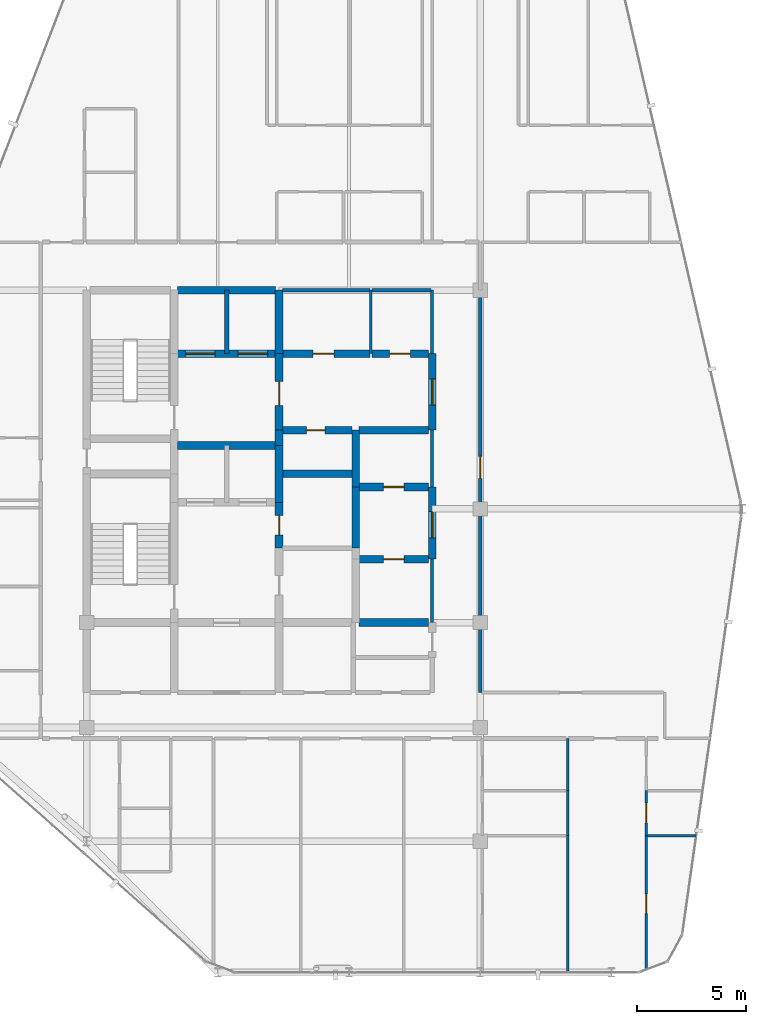
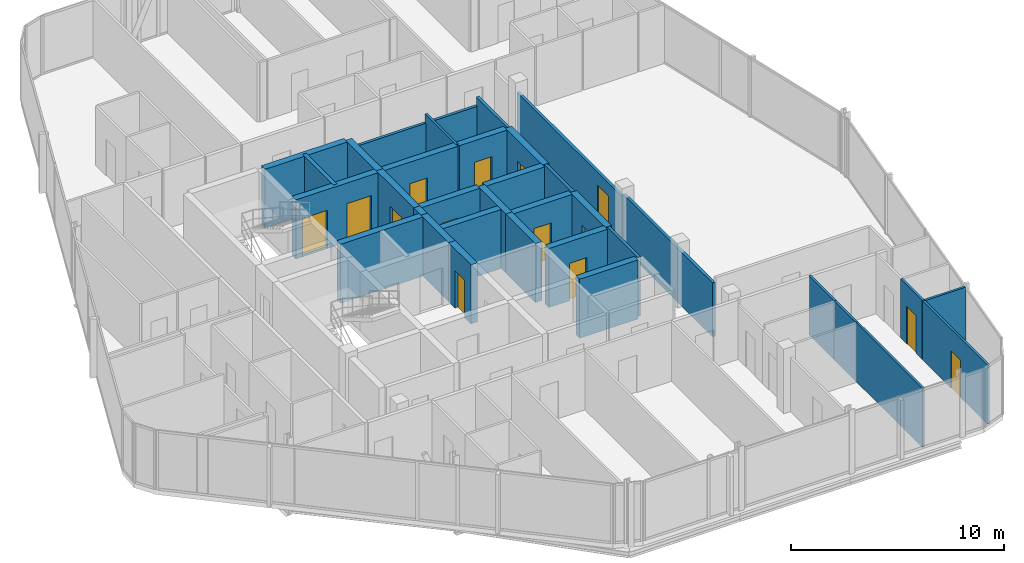
# One storey, part 24 of 27: 35 walls, 14 doors, 14 openings.
"""IFC4 building model written with IfcOpenShell, lengths in metres."""

from ifc_helpers import new_model, si_unit, direction, frame, frame_2d, origin, place, context, subcontext, project, spatial, rectangle, extrude, material, layer, layer_set, type_object, element, fill, save


model = new_model("IFC4")

# Units and contexts
model_context = context("Model", 3, precision=1e-05, world=origin(), true_north=direction((0.0, 1.0)))
body_context = subcontext(model_context, "Body", "Model", "MODEL_VIEW")
ifc_project = project(units=[si_unit("LENGTHUNIT", "METRE"), si_unit("AREAUNIT", "SQUARE_METRE"), si_unit("VOLUMEUNIT", "CUBIC_METRE"), si_unit("PLANEANGLEUNIT", "RADIAN"), si_unit("MASSUNIT", "GRAM", prefix="KILO")], contexts=[model_context])

# Site, building, storey
site_placement = place(None, origin())
site = spatial("IfcSite", under=ifc_project, at=site_placement, CompositionType="ELEMENT")
building_placement = place(site_placement, origin())
building = spatial("IfcBuilding", under=site, at=building_placement, Name="Keshet Zoharim Tower", CompositionType="ELEMENT")
storey_placement = place(building_placement, frame((0.0, 0.0, 288.0)))
storey = spatial("IfcBuildingStorey", under=building, at=storey_placement, Name="L72", CompositionType="ELEMENT", Elevation=288.0)

# Walls
ifc_material_1 = material(Name="Gypsum Plasterboard", Category="gypsum")
ifc_layer_1 = layer(ifc_material_1, 0.14990234375)
ifc_layer_set_1 = layer_set([ifc_layer_1], Name="Gypsum Plasterboard")
wall_type_1 = type_object("IfcWallType", Name="WL-CLIN-150", PredefinedType="STANDARD", material=ifc_layer_set_1)
wall_1_placement = place(storey_placement, frame((30.800048828125, 22.699951171875, 0.0), z_axis=(0.0, 0.0, 1.0), x_axis=(0.0, 1.0, 0.0)))
element("IfcWall", 1, at=wall_1_placement, inside=storey, type_object=wall_type_1, Name="L72 Interior Wall 060", PredefinedType="STANDARD", context=body_context, shape_type="SweptSolid", body=[
    extrude(rectangle(XDim=2.900146484375, YDim=0.14990234375, at=frame_2d((1.4501953125, 0.0))), origin(), (0.0, 0.0, 1.0), 3.389892578125),
])
wall_2_placement = place(storey_placement, frame((30.800048828125, 28.89990234375, 0.0), z_axis=(0.0, 0.0, 1.0), x_axis=(0.0, 1.0, 0.0)))
element("IfcWall", 2, at=wall_2_placement, inside=storey, type_object=wall_type_1, Name="L72 Interior Wall 062", PredefinedType="STANDARD", context=body_context, shape_type="SweptSolid", body=[
    extrude(rectangle(XDim=2.60009765625, YDim=0.14990234375, at=frame_2d((1.300048828125, 0.0))), origin(), (0.0, 0.0, 1.0), 3.389892578125),
])
wall_3_placement = place(storey_placement, frame((30.800048828125, 35.0, 0.0), z_axis=(0.0, 0.0, 1.0), x_axis=(0.0, 1.0, 0.0)))
element("IfcWall", 3, at=wall_3_placement, inside=storey, type_object=wall_type_1, Name="L72 Interior Wall 064", PredefinedType="STANDARD", context=body_context, shape_type="SweptSolid", body=[
    extrude(rectangle(XDim=2.89990234375, YDim=0.14990234375, at=frame_2d((1.449951171875, 0.0))), origin(), (0.0, 0.0, 1.0), 3.389892578125),
])
wall_4_placement = place(storey_placement, frame((33.0, 19.5, 0.0), z_axis=(0.0, 0.0, 1.0), x_axis=(0.0, 1.0, 0.0)))
element("IfcWall", 4, at=wall_4_placement, inside=storey, type_object=wall_type_1, Name="L72 Interior Wall 066", PredefinedType="STANDARD", context=body_context, shape_type="SweptSolid", body=[
    extrude(rectangle(XDim=8.39990234375, YDim=0.14990234375, at=frame_2d((4.199951171875, 0.0))), origin(), (0.0, 0.0, 1.0), 3.10009765625),
])
wall_5_placement = place(storey_placement, frame((23.9599609375, 37.89990234375, 0.0), z_axis=(0.0, 0.0, 1.0), x_axis=(1.0, 0.0, 0.0)))
element("IfcWall", 5, at=wall_5_placement, inside=storey, type_object=wall_type_1, Name="L72 Interior Wall 136", PredefinedType="STANDARD", context=body_context, shape_type="SweptSolid", body=[
    extrude(rectangle(XDim=3.9951171875, YDim=0.14990234375, at=frame_2d((1.99755859375, 0.0))), origin(), (0.0, 0.0, 1.0), 2.889892578125),
])
wall_6_placement = place(storey_placement, frame((28.044921875, 37.89990234375, 0.0), z_axis=(0.0, 0.0, 1.0), x_axis=(1.0, 0.0, 0.0)))
element("IfcWall", 6, at=wall_6_placement, inside=storey, type_object=wall_type_1, Name="L72 Interior Wall 137", PredefinedType="STANDARD", context=body_context, shape_type="SweptSolid", body=[
    extrude(rectangle(XDim=2.695068359375, YDim=0.14990234375, at=frame_2d((1.34765625, 0.0))), origin(), (0.0, 0.0, 1.0), 2.889892578125),
])

# Wall, opening, door
wall_7_placement = place(storey_placement, frame((33.0, 27.89990234375, 0.0), z_axis=(0.0, 0.0, 1.0), x_axis=(0.0, 1.0, 0.0)))
wall_7 = element("IfcWall", 7, at=wall_7_placement, inside=storey, type_object=wall_type_1, Name="L72 Interior Wall 066 Part 2", PredefinedType="STANDARD", context=body_context, shape_type="SweptSolid", body=[
    extrude(rectangle(XDim=10.0, YDim=0.14990234375, at=frame_2d((5.0, 0.0))), origin(), (0.0, 0.0, 1.0), 2.889892578125),
])
opening_1_placement = place(wall_7_placement, frame((1.39990234375, 0.0, 0.0)))
opening_1 = element("IfcOpeningElement", 8, at=opening_1_placement, cuts=wall_7, Name="Opening D-F310", PredefinedType="OPENING", context=body_context, shape_type="SweptSolid", body=[
    extrude(rectangle(XDim=1.0, YDim=2.14990234375, at=frame_2d((0.5, 1.074951171875))), frame((0.0, 0.0849609375, 0.0), z_axis=(0.0, -1.0, 0.0), x_axis=(1.0, 0.0, 0.0)), (0.0, 0.0, 1.0), 0.169921875),
])
ifc_material_2 = material(Name="Hardwood Timber", Category="wood")
door_type_1 = type_object("IfcDoorType", Name="DR-FD30-100", OperationType="NOTDEFINED", PredefinedType="DOOR", material=ifc_material_2)
door_1_placement = place(opening_1_placement, origin())
door_1 = element("IfcDoor", 9, at=door_1_placement, inside=storey, type_object=door_type_1, Name="L72 North West Residents Services Suite Door 1", OperationType="SINGLE_SWING_LEFT", OverallHeight=2.14990234375, OverallWidth=1.0, PredefinedType="DOOR", context=body_context, shape_type="SweptSolid", body=[
    extrude(rectangle(XDim=1.0, YDim=2.14990234375, at=frame_2d((0.5, 1.074951171875))), frame((0.0, 0.02490234375, 0.0), z_axis=(0.0, -1.0, 0.0), x_axis=(1.0, 0.0, 0.0)), (0.0, 0.0, 1.0), 0.050048828125),
])
fill(opening_1, door_1)

ifc_material_3 = material(Name="Concrete C60/75", Category="concrete")
ifc_layer_2 = layer(ifc_material_3, 0.35009765625)
ifc_layer_set_2 = layer_set([ifc_layer_2], Name="Concrete C60/75")
wall_type_2 = type_object("IfcWallType", Name="WL-CORE-350", PredefinedType="SHEAR", material=ifc_layer_set_2)
wall_8_placement = place(storey_placement, frame((23.800048828125, 26.10009765625, 0.0), z_axis=(0.0, 0.0, 1.0), x_axis=(0.0, 1.0, 0.0)))
wall_8 = element("IfcWall", 10, at=wall_8_placement, inside=storey, type_object=wall_type_2, Name="L72 Core Shear Wall 040", PredefinedType="SHEAR", context=body_context, shape_type="SweptSolid", body=[
    extrude(rectangle(XDim=2.099853515625, YDim=0.35009765625, at=frame_2d((1.0498046875, 0.0))), origin(), (0.0, 0.0, 1.0), 3.389892578125),
])
opening_2_placement = place(wall_8_placement, frame((0.60009765625, 0.0, 0.0)))
opening_2 = element("IfcOpeningElement", 11, at=opening_2_placement, cuts=wall_8, Name="Opening D-F690", PredefinedType="OPENING", context=body_context, shape_type="SweptSolid", body=[
    extrude(rectangle(XDim=0.89990234375, YDim=2.14990234375, at=frame_2d((0.449951171875, 1.074951171875))), frame((0.0, 0.18505859375, 0.0), z_axis=(0.0, -1.0, 0.0), x_axis=(1.0, 0.0, 0.0)), (0.0, 0.0, 1.0), 0.3701171875),
])
door_type_2 = type_object("IfcDoorType", Name="DR-FD60-090", OperationType="NOTDEFINED", PredefinedType="DOOR", material=ifc_material_2)
door_2_placement = place(opening_2_placement, origin())
door_2 = element("IfcDoor", 12, at=door_2_placement, inside=storey, type_object=door_type_2, Name="L72 Core Electrical Room Door", OperationType="SINGLE_SWING_RIGHT", OverallHeight=2.14990234375, OverallWidth=0.89990234375, PredefinedType="DOOR", context=body_context, shape_type="SweptSolid", body=[
    extrude(rectangle(XDim=0.89990234375, YDim=2.14990234375, at=frame_2d((0.449951171875, 1.074951171875))), frame((0.0, 0.02490234375, 0.0), z_axis=(0.0, -1.0, 0.0), x_axis=(1.0, 0.0, 0.0)), (0.0, 0.0, 1.0), 0.050048828125),
])
fill(opening_2, door_2)

# Walls
wall_9_placement = place(storey_placement, frame((23.800048828125, 28.199951171875, 0.0), z_axis=(0.0, 0.0, 1.0), x_axis=(0.0, 1.0, 0.0)))
element("IfcWall", 13, at=wall_9_placement, inside=storey, type_object=wall_type_2, Name="L72 Core Shear Wall 041", PredefinedType="SHEAR", context=body_context, shape_type="SweptSolid", body=[
    extrude(rectangle(XDim=2.60009765625, YDim=0.35009765625, at=frame_2d((1.300048828125, 0.0))), origin(), (0.0, 0.0, 1.0), 3.389892578125),
])
wall_10_placement = place(storey_placement, frame((23.800048828125, 30.800048828125, 0.0), z_axis=(0.0, 0.0, 1.0), x_axis=(0.0, 1.0, 0.0)))
element("IfcWall", 14, at=wall_10_placement, inside=storey, type_object=wall_type_2, Name="L72 Core Shear Wall 042", PredefinedType="SHEAR", context=body_context, shape_type="SweptSolid", body=[
    extrude(rectangle(XDim=0.699951171875, YDim=0.35009765625, at=frame_2d((0.35009765625, 0.0))), origin(), (0.0, 0.0, 1.0), 3.389892578125),
])

# Wall, opening, door
wall_11_placement = place(storey_placement, frame((23.800048828125, 31.5, 0.0), z_axis=(0.0, 0.0, 1.0), x_axis=(0.0, 1.0, 0.0)))
wall_11 = element("IfcWall", 15, at=wall_11_placement, inside=storey, type_object=wall_type_2, Name="L72 Core Shear Wall 043", PredefinedType="SHEAR", context=body_context, shape_type="SweptSolid", body=[
    extrude(rectangle(XDim=3.5, YDim=0.35009765625, at=frame_2d((1.75, 0.0))), origin(), (0.0, 0.0, 1.0), 3.389892578125),
])
opening_3_placement = place(wall_11_placement, frame((1.126953125, 0.0, 0.0)))
opening_3 = element("IfcOpeningElement", 16, at=opening_3_placement, cuts=wall_11, Name="Opening D-F611", PredefinedType="OPENING", context=body_context, shape_type="SweptSolid", body=[
    extrude(rectangle(XDim=1.10009765625, YDim=2.14990234375, at=frame_2d((0.550048828125, 1.074951171875))), frame((0.0, 0.18505859375, 0.0), z_axis=(0.0, -1.0, 0.0), x_axis=(1.0, 0.0, 0.0)), (0.0, 0.0, 1.0), 0.3701171875),
])
door_type_3 = type_object("IfcDoorType", Name="DR-FD60-110", OperationType="NOTDEFINED", PredefinedType="DOOR", material=ifc_material_2)
door_3_placement = place(opening_3_placement, origin())
door_3 = element("IfcDoor", 17, at=door_3_placement, inside=storey, type_object=door_type_3, Name="L72 Firefighting Lobby Fire Door", OperationType="SINGLE_SWING_LEFT", OverallHeight=2.14990234375, OverallWidth=1.10009765625, PredefinedType="DOOR", context=body_context, shape_type="SweptSolid", body=[
    extrude(rectangle(XDim=1.10009765625, YDim=2.14990234375, at=frame_2d((0.550048828125, 1.074951171875))), frame((0.0, 0.02490234375, 0.0), z_axis=(0.0, -1.0, 0.0), x_axis=(1.0, 0.0, 0.0)), (0.0, 0.0, 1.0), 0.050048828125),
])
fill(opening_3, door_3)

# Walls
wall_12_placement = place(storey_placement, frame((23.800048828125, 35.0, 0.0), z_axis=(0.0, 0.0, 1.0), x_axis=(0.0, 1.0, 0.0)))
element("IfcWall", 18, at=wall_12_placement, inside=storey, type_object=wall_type_2, Name="L72 Core Shear Wall 044", PredefinedType="SHEAR", context=body_context, shape_type="SweptSolid", body=[
    extrude(rectangle(XDim=2.89990234375, YDim=0.35009765625, at=frame_2d((1.449951171875, 0.0))), origin(), (0.0, 0.0, 1.0), 3.389892578125),
])
wall_13_placement = place(storey_placement, frame((27.300048828125, 26.10009765625, 0.0), z_axis=(0.0, 0.0, 1.0), x_axis=(0.0, 1.0, 0.0)))
element("IfcWall", 19, at=wall_13_placement, inside=storey, type_object=wall_type_2, Name="L72 Core Shear Wall 052", PredefinedType="SHEAR", context=body_context, shape_type="SweptSolid", body=[
    extrude(rectangle(XDim=2.7998046875, YDim=0.35009765625, at=frame_2d((1.39990234375, 0.0))), origin(), (0.0, 0.0, 1.0), 3.389892578125),
])
wall_14_placement = place(storey_placement, frame((27.300048828125, 28.89990234375, 0.0), z_axis=(0.0, 0.0, 1.0), x_axis=(0.0, 1.0, 0.0)))
element("IfcWall", 20, at=wall_14_placement, inside=storey, type_object=wall_type_2, Name="L72 Core Shear Wall 053", PredefinedType="SHEAR", context=body_context, shape_type="SweptSolid", body=[
    extrude(rectangle(XDim=2.60009765625, YDim=0.35009765625, at=frame_2d((1.300048828125, 0.0))), origin(), (0.0, 0.0, 1.0), 3.389892578125),
])

# Wall, opening, door
wall_15_placement = place(storey_placement, frame((30.800048828125, 25.60009765625, 0.0), z_axis=(0.0, 0.0, 1.0), x_axis=(0.0, 1.0, 0.0)))
wall_15 = element("IfcWall", 21, at=wall_15_placement, inside=storey, type_object=wall_type_2, Name="L72 Core Shear Wall 061", PredefinedType="SHEAR", context=body_context, shape_type="SweptSolid", body=[
    extrude(rectangle(XDim=3.2998046875, YDim=0.35009765625, at=frame_2d((1.64990234375, 0.0))), origin(), (0.0, 0.0, 1.0), 3.389892578125),
])
opening_4_placement = place(wall_15_placement, frame((0.97802734375, 0.0, 0.0)))
opening_4 = element("IfcOpeningElement", 22, at=opening_4_placement, cuts=wall_15, Name="Opening D-F612", PredefinedType="OPENING", context=body_context, shape_type="SweptSolid", body=[
    extrude(rectangle(XDim=1.199951171875, YDim=2.199951171875, at=frame_2d((0.60009765625, 1.10009765625))), frame((0.0, 0.18505859375, 0.0), z_axis=(0.0, -1.0, 0.0), x_axis=(1.0, 0.0, 0.0)), (0.0, 0.0, 1.0), 0.3701171875),
])
door_type_4 = type_object("IfcDoorType", Name="DR-FD60-120", OperationType="NOTDEFINED", PredefinedType="DOOR", material=ifc_material_2)
door_4_placement = place(opening_4_placement, origin())
door_4 = element("IfcDoor", 23, at=door_4_placement, inside=storey, type_object=door_type_4, Name="L72 East Lift Lobby Fire Door", OperationType="SINGLE_SWING_LEFT", OverallHeight=2.199951171875, OverallWidth=1.199951171875, PredefinedType="DOOR", context=body_context, shape_type="SweptSolid", body=[
    extrude(rectangle(XDim=1.199951171875, YDim=2.199951171875, at=frame_2d((0.60009765625, 1.10009765625))), frame((0.0, 0.02490234375, 0.0), z_axis=(0.0, -1.0, 0.0), x_axis=(1.0, 0.0, 0.0)), (0.0, 0.0, 1.0), 0.050048828125),
])
fill(opening_4, door_4)

wall_16_placement = place(storey_placement, frame((30.800048828125, 31.5, 0.0), z_axis=(0.0, 0.0, 1.0), x_axis=(0.0, 1.0, 0.0)))
wall_16 = element("IfcWall", 24, at=wall_16_placement, inside=storey, type_object=wall_type_2, Name="L72 Core Shear Wall 063", PredefinedType="SHEAR", context=body_context, shape_type="SweptSolid", body=[
    extrude(rectangle(XDim=3.5, YDim=0.35009765625, at=frame_2d((1.75, 0.0))), origin(), (0.0, 0.0, 1.0), 3.389892578125),
])
opening_5_placement = place(wall_16_placement, frame((1.14990234375, 0.0, 0.0)))
opening_5 = element("IfcOpeningElement", 25, at=opening_5_placement, cuts=wall_16, Name="Opening D-F612", PredefinedType="OPENING", context=body_context, shape_type="SweptSolid", body=[
    extrude(rectangle(XDim=1.199951171875, YDim=2.199951171875, at=frame_2d((0.60009765625, 1.10009765625))), frame((0.0, 0.18505859375, 0.0), z_axis=(0.0, -1.0, 0.0), x_axis=(1.0, 0.0, 0.0)), (0.0, 0.0, 1.0), 0.3701171875),
])
door_5_placement = place(opening_5_placement, origin())
door_5 = element("IfcDoor", 26, at=door_5_placement, inside=storey, type_object=door_type_4, Name="L72 North Lift Lobby East Fire Door", OperationType="SINGLE_SWING_RIGHT", OverallHeight=2.199951171875, OverallWidth=1.199951171875, PredefinedType="DOOR", context=body_context, shape_type="SweptSolid", body=[
    extrude(rectangle(XDim=1.199951171875, YDim=2.199951171875, at=frame_2d((0.60009765625, 1.10009765625))), frame((0.0, 0.02490234375, 0.0), z_axis=(0.0, -1.0, 0.0), x_axis=(1.0, 0.0, 0.0)), (0.0, 0.0, 1.0), 0.050048828125),
])
fill(opening_5, door_5)

# Wall
wall_17_placement = place(storey_placement, frame((27.4599609375, 22.699951171875, 0.0), z_axis=(0.0, 0.0, 1.0), x_axis=(1.0, 0.0, 0.0)))
element("IfcWall", 27, at=wall_17_placement, inside=storey, type_object=wall_type_2, Name="L72 Core Shear Wall 112", PredefinedType="SHEAR", context=body_context, shape_type="SweptSolid", body=[
    extrude(rectangle(XDim=3.179931640625, YDim=0.35009765625, at=frame_2d((1.58984375, 0.0))), origin(), (0.0, 0.0, 1.0), 3.389892578125),
])

# Wall, opening, door
wall_18_placement = place(storey_placement, frame((27.4599609375, 25.60009765625, 0.0), z_axis=(0.0, 0.0, 1.0), x_axis=(1.0, 0.0, 0.0)))
wall_18 = element("IfcWall", 28, at=wall_18_placement, inside=storey, type_object=wall_type_2, Name="L72 Core Shear Wall 115", PredefinedType="SHEAR", context=body_context, shape_type="SweptSolid", body=[
    extrude(rectangle(XDim=3.179931640625, YDim=0.35009765625, at=frame_2d((1.58984375, 0.0))), origin(), (0.0, 0.0, 1.0), 3.389892578125),
])
opening_6_placement = place(wall_18_placement, frame((1.114990234375, 0.0, 0.0)))
opening_6 = element("IfcOpeningElement", 29, at=opening_6_placement, cuts=wall_18, Name="Opening D-F695", PredefinedType="OPENING", context=body_context, shape_type="SweptSolid", body=[
    extrude(rectangle(XDim=0.949951171875, YDim=2.14990234375, at=frame_2d((0.47509765625, 1.074951171875))), frame((0.0, 0.18505859375, 0.0), z_axis=(0.0, -1.0, 0.0), x_axis=(1.0, 0.0, 0.0)), (0.0, 0.0, 1.0), 0.3701171875),
])
door_type_5 = type_object("IfcDoorType", Name="DR-FD60-095", OperationType="NOTDEFINED", PredefinedType="DOOR", material=ifc_material_2)
door_6_placement = place(opening_6_placement, origin())
door_6 = element("IfcDoor", 30, at=door_6_placement, inside=storey, type_object=door_type_5, Name="L72 Study Alcove Door", OperationType="SINGLE_SWING_LEFT", OverallHeight=2.14990234375, OverallWidth=0.949951171875, PredefinedType="DOOR", context=body_context, shape_type="SweptSolid", body=[
    extrude(rectangle(XDim=0.949951171875, YDim=2.14990234375, at=frame_2d((0.47509765625, 1.074951171875))), frame((0.0, 0.02490234375, 0.0), z_axis=(0.0, -1.0, 0.0), x_axis=(1.0, 0.0, 0.0)), (0.0, 0.0, 1.0), 0.050048828125),
])
fill(opening_6, door_6)

wall_19_placement = place(storey_placement, frame((27.4599609375, 28.89990234375, 0.0), z_axis=(0.0, 0.0, 1.0), x_axis=(1.0, 0.0, 0.0)))
wall_19 = element("IfcWall", 31, at=wall_19_placement, inside=storey, type_object=wall_type_2, Name="L72 Core Shear Wall 122", PredefinedType="SHEAR", context=body_context, shape_type="SweptSolid", body=[
    extrude(rectangle(XDim=3.179931640625, YDim=0.35009765625, at=frame_2d((1.58984375, 0.0))), origin(), (0.0, 0.0, 1.0), 3.389892578125),
])
opening_7_placement = place(wall_19_placement, frame((1.114990234375, 0.0, 0.0)))
opening_7 = element("IfcOpeningElement", 32, at=opening_7_placement, cuts=wall_19, Name="Opening D-F695", PredefinedType="OPENING", context=body_context, shape_type="SweptSolid", body=[
    extrude(rectangle(XDim=0.949951171875, YDim=2.14990234375, at=frame_2d((0.47509765625, 1.074951171875))), frame((0.0, 0.18505859375, 0.0), z_axis=(0.0, -1.0, 0.0), x_axis=(1.0, 0.0, 0.0)), (0.0, 0.0, 1.0), 0.3701171875),
])
door_7_placement = place(opening_7_placement, frame((0.949951171875, 0.0, 0.0), z_axis=(0.0, 0.0, 1.0), x_axis=(-1.0, 0.0, 0.0)))
door_7 = element("IfcDoor", 33, at=door_7_placement, inside=storey, type_object=door_type_5, Name="L72 Parcel Store Door", OperationType="SINGLE_SWING_RIGHT", OverallHeight=2.14990234375, OverallWidth=0.949951171875, PredefinedType="DOOR", context=body_context, shape_type="SweptSolid", body=[
    extrude(rectangle(XDim=0.949951171875, YDim=2.14990234375, at=frame_2d((0.47509765625, 1.074951171875))), frame((0.0, 0.02490234375, 0.0), z_axis=(0.0, -1.0, 0.0), x_axis=(1.0, 0.0, 0.0)), (0.0, 0.0, 1.0), 0.050048828125),
])
fill(opening_7, door_7)

# Walls
wall_20_placement = place(storey_placement, frame((23.9599609375, 29.5, 0.0), z_axis=(0.0, 0.0, 1.0), x_axis=(1.0, 0.0, 0.0)))
element("IfcWall", 34, at=wall_20_placement, inside=storey, type_object=wall_type_2, Name="L72 Core Shear Wall 124", PredefinedType="SHEAR", context=body_context, shape_type="SweptSolid", body=[
    extrude(rectangle(XDim=3.179931640625, YDim=0.35009765625, at=frame_2d((1.58984375, 0.0))), origin(), (0.0, 0.0, 1.0), 3.389892578125),
])
wall_21_placement = place(storey_placement, frame((19.159912109375, 30.800048828125, 0.0), z_axis=(0.0, 0.0, 1.0), x_axis=(1.0, 0.0, 0.0)))
element("IfcWall", 35, at=wall_21_placement, inside=storey, type_object=wall_type_2, Name="L72 Core Shear Wall 125", PredefinedType="SHEAR", context=body_context, shape_type="SweptSolid", body=[
    extrude(rectangle(XDim=4.47998046875, YDim=0.35009765625, at=frame_2d((2.239990234375, 0.0))), origin(), (0.0, 0.0, 1.0), 3.389892578125),
])

# Wall, opening, door
wall_22_placement = place(storey_placement, frame((23.9599609375, 31.5, 0.0), z_axis=(0.0, 0.0, 1.0), x_axis=(1.0, 0.0, 0.0)))
wall_22 = element("IfcWall", 36, at=wall_22_placement, inside=storey, type_object=wall_type_2, Name="L72 Core Shear Wall 129", PredefinedType="SHEAR", context=body_context, shape_type="SweptSolid", body=[
    extrude(rectangle(XDim=3.179931640625, YDim=0.35009765625, at=frame_2d((1.58984375, 0.0))), origin(), (0.0, 0.0, 1.0), 3.389892578125),
])
opening_8_placement = place(wall_22_placement, frame((1.093994140625, 0.0, 0.0)))
opening_8 = element("IfcOpeningElement", 37, at=opening_8_placement, cuts=wall_22, Name="Opening D-RS85", PredefinedType="OPENING", context=body_context, shape_type="SweptSolid", body=[
    extrude(rectangle(XDim=0.85009765625, YDim=2.10009765625, at=frame_2d((0.425048828125, 1.050048828125))), frame((0.0, 0.18505859375, 0.0), z_axis=(0.0, -1.0, 0.0), x_axis=(1.0, 0.0, 0.0)), (0.0, 0.0, 1.0), 0.3701171875),
])
door_type_6 = type_object("IfcDoorType", Name="DR-RIS-085", OperationType="NOTDEFINED", PredefinedType="DOOR", material=ifc_material_2)
door_8_placement = place(opening_8_placement, origin())
door_8 = element("IfcDoor", 38, at=door_8_placement, inside=storey, type_object=door_type_6, Name="L72 Telecom Riser Access Cupboard Door", OperationType="SINGLE_SWING_LEFT", OverallHeight=2.10009765625, OverallWidth=0.85009765625, PredefinedType="DOOR", context=body_context, shape_type="SweptSolid", body=[
    extrude(rectangle(XDim=0.85009765625, YDim=2.10009765625, at=frame_2d((0.425048828125, 1.050048828125))), frame((0.0, 0.02490234375, 0.0), z_axis=(0.0, -1.0, 0.0), x_axis=(1.0, 0.0, 0.0)), (0.0, 0.0, 1.0), 0.050048828125),
])
fill(opening_8, door_8)

# Wall
wall_23_placement = place(storey_placement, frame((27.4599609375, 31.5, 0.0), z_axis=(0.0, 0.0, 1.0), x_axis=(1.0, 0.0, 0.0)))
element("IfcWall", 39, at=wall_23_placement, inside=storey, type_object=wall_type_2, Name="L72 Core Shear Wall 130", PredefinedType="SHEAR", context=body_context, shape_type="SweptSolid", body=[
    extrude(rectangle(XDim=3.179931640625, YDim=0.35009765625, at=frame_2d((1.58984375, 0.0))), origin(), (0.0, 0.0, 1.0), 3.389892578125),
])

# Wall, openings, doors
wall_24_placement = place(storey_placement, frame((19.159912109375, 35.0, 0.0), z_axis=(0.0, 0.0, 1.0), x_axis=(1.0, 0.0, 0.0)))
wall_24 = element("IfcWall", 40, at=wall_24_placement, inside=storey, type_object=wall_type_2, Name="L72 Core Shear Wall 131", PredefinedType="SHEAR", context=body_context, shape_type="SweptSolid", body=[
    extrude(rectangle(XDim=4.47998046875, YDim=0.35009765625, at=frame_2d((2.239990234375, 0.0))), origin(), (0.0, 0.0, 1.0), 3.389892578125),
])
opening_9_placement = place(wall_24_placement, frame((0.364990234375, 0.0, 0.0)))
opening_9 = element("IfcOpeningElement", 41, at=opening_9_placement, cuts=wall_24, Name="Opening LD-02", PredefinedType="OPENING", context=body_context, shape_type="SweptSolid", body=[
    extrude(rectangle(XDim=1.35009765625, YDim=2.199951171875, at=frame_2d((0.675048828125, 1.10009765625))), frame((0.0, 0.18505859375, 0.0), z_axis=(0.0, -1.0, 0.0), x_axis=(1.0, 0.0, 0.0)), (0.0, 0.0, 1.0), 0.3701171875),
])
opening_10_placement = place(wall_24_placement, frame((2.764892578125, 0.0, 0.0)))
opening_10 = element("IfcOpeningElement", 42, at=opening_10_placement, cuts=wall_24, Name="Opening LD-02", PredefinedType="OPENING", context=body_context, shape_type="SweptSolid", body=[
    extrude(rectangle(XDim=1.35009765625, YDim=2.199951171875, at=frame_2d((0.675048828125, 1.10009765625))), frame((0.0, 0.18505859375, 0.0), z_axis=(0.0, -1.0, 0.0), x_axis=(1.0, 0.0, 0.0)), (0.0, 0.0, 1.0), 0.3701171875),
])
ifc_material_4 = material(Name="Steel S355", Category="steel")
door_type_7 = type_object("IfcDoorType", Name="DR-LD02-135", OperationType="DOUBLE_DOOR_SLIDING", PredefinedType="DOOR", material=ifc_material_4)
door_9_placement = place(opening_9_placement, origin())
door_9 = element("IfcDoor", 43, at=door_9_placement, inside=storey, type_object=door_type_7, Name="L72 Firefighting Lift Landing Door FF-01", OperationType="DOUBLE_DOOR_SLIDING", OverallHeight=2.199951171875, OverallWidth=1.35009765625, PredefinedType="DOOR", context=body_context, shape_type="SweptSolid", body=[
    extrude(rectangle(XDim=1.35009765625, YDim=2.199951171875, at=frame_2d((0.675048828125, 1.10009765625))), frame((0.0, 0.02490234375, 0.0), z_axis=(0.0, -1.0, 0.0), x_axis=(1.0, 0.0, 0.0)), (0.0, 0.0, 1.0), 0.050048828125),
])
fill(opening_9, door_9)
door_10_placement = place(opening_10_placement, origin())
door_10 = element("IfcDoor", 44, at=door_10_placement, inside=storey, type_object=door_type_7, Name="L72 Firefighting Lift Landing Door FF-02", OperationType="DOUBLE_DOOR_SLIDING", OverallHeight=2.199951171875, OverallWidth=1.35009765625, PredefinedType="DOOR", context=body_context, shape_type="SweptSolid", body=[
    extrude(rectangle(XDim=1.35009765625, YDim=2.199951171875, at=frame_2d((0.675048828125, 1.10009765625))), frame((0.0, 0.02490234375, 0.0), z_axis=(0.0, -1.0, 0.0), x_axis=(1.0, 0.0, 0.0)), (0.0, 0.0, 1.0), 0.050048828125),
])
fill(opening_10, door_10)

# Wall, opening, door
wall_25_placement = place(storey_placement, frame((23.9599609375, 35.0, 0.0), z_axis=(0.0, 0.0, 1.0), x_axis=(1.0, 0.0, 0.0)))
wall_25 = element("IfcWall", 45, at=wall_25_placement, inside=storey, type_object=wall_type_2, Name="L72 Core Shear Wall 132", PredefinedType="SHEAR", context=body_context, shape_type="SweptSolid", body=[
    extrude(rectangle(XDim=3.9951171875, YDim=0.35009765625, at=frame_2d((1.99755859375, 0.0))), origin(), (0.0, 0.0, 1.0), 3.389892578125),
])
opening_11_placement = place(wall_25_placement, frame((1.39306640625, 0.0, 0.0)))
opening_11 = element("IfcOpeningElement", 46, at=opening_11_placement, cuts=wall_25, Name="Opening D-F695", PredefinedType="OPENING", context=body_context, shape_type="SweptSolid", body=[
    extrude(rectangle(XDim=0.949951171875, YDim=2.14990234375, at=frame_2d((0.47509765625, 1.074951171875))), frame((0.0, 0.18505859375, 0.0), z_axis=(0.0, -1.0, 0.0), x_axis=(1.0, 0.0, 0.0)), (0.0, 0.0, 1.0), 0.3701171875),
])
door_11_placement = place(opening_11_placement, frame((0.949951171875, 0.0, 0.0), z_axis=(0.0, 0.0, 1.0), x_axis=(-1.0, 0.0, 0.0)))
door_11 = element("IfcDoor", 47, at=door_11_placement, inside=storey, type_object=door_type_5, Name="L72 Laundry Room Door", OperationType="SINGLE_SWING_RIGHT", OverallHeight=2.14990234375, OverallWidth=0.949951171875, PredefinedType="DOOR", context=body_context, shape_type="SweptSolid", body=[
    extrude(rectangle(XDim=0.949951171875, YDim=2.14990234375, at=frame_2d((0.47509765625, 1.074951171875))), frame((0.0, 0.02490234375, 0.0), z_axis=(0.0, -1.0, 0.0), x_axis=(1.0, 0.0, 0.0)), (0.0, 0.0, 1.0), 0.050048828125),
])
fill(opening_11, door_11)

wall_26_placement = place(storey_placement, frame((28.044921875, 35.0, 0.0), z_axis=(0.0, 0.0, 1.0), x_axis=(1.0, 0.0, 0.0)))
wall_26 = element("IfcWall", 48, at=wall_26_placement, inside=storey, type_object=wall_type_2, Name="L72 Core Shear Wall 133", PredefinedType="SHEAR", context=body_context, shape_type="SweptSolid", body=[
    extrude(rectangle(XDim=2.594970703125, YDim=0.35009765625, at=frame_2d((1.29736328125, 0.0))), origin(), (0.0, 0.0, 1.0), 3.389892578125),
])
opening_12_placement = place(wall_26_placement, frame((0.805908203125, 0.0, 0.0)))
opening_12 = element("IfcOpeningElement", 49, at=opening_12_placement, cuts=wall_26, Name="Opening D-F695", PredefinedType="OPENING", context=body_context, shape_type="SweptSolid", body=[
    extrude(rectangle(XDim=0.949951171875, YDim=2.14990234375, at=frame_2d((0.47509765625, 1.074951171875))), frame((0.0, 0.18505859375, 0.0), z_axis=(0.0, -1.0, 0.0), x_axis=(1.0, 0.0, 0.0)), (0.0, 0.0, 1.0), 0.3701171875),
])
door_12_placement = place(opening_12_placement, frame((0.949951171875, 0.0, 0.0), z_axis=(0.0, 0.0, 1.0), x_axis=(-1.0, 0.0, 0.0)))
door_12 = element("IfcDoor", 50, at=door_12_placement, inside=storey, type_object=door_type_5, Name="L72 Quiet Study Room Door", OperationType="SINGLE_SWING_LEFT", OverallHeight=2.14990234375, OverallWidth=0.949951171875, PredefinedType="DOOR", context=body_context, shape_type="SweptSolid", body=[
    extrude(rectangle(XDim=0.949951171875, YDim=2.14990234375, at=frame_2d((0.47509765625, 1.074951171875))), frame((0.0, 0.02490234375, 0.0), z_axis=(0.0, -1.0, 0.0), x_axis=(1.0, 0.0, 0.0)), (0.0, 0.0, 1.0), 0.050048828125),
])
fill(opening_12, door_12)

# Walls
wall_27_placement = place(storey_placement, frame((19.159912109375, 37.89990234375, 0.0), z_axis=(0.0, 0.0, 1.0), x_axis=(1.0, 0.0, 0.0)))
element("IfcWall", 51, at=wall_27_placement, inside=storey, type_object=wall_type_2, Name="L72 Core Shear Wall 135", PredefinedType="SHEAR", context=body_context, shape_type="SweptSolid", body=[
    extrude(rectangle(XDim=4.47998046875, YDim=0.35009765625, at=frame_2d((2.239990234375, 0.0))), origin(), (0.0, 0.0, 1.0), 3.389892578125),
])
ifc_material_5 = material(Name="Concrete C50/60", Category="concrete")
ifc_layer_3 = layer(ifc_material_5, 0.199951171875)
ifc_layer_set_3 = layer_set([ifc_layer_3], Name="Concrete C50/60")
wall_type_3 = type_object("IfcWallType", Name="WL-FIRE-200", PredefinedType="STANDARD", material=ifc_layer_set_3)
wall_28_placement = place(storey_placement, frame((21.39990234375, 35.0, 0.0), z_axis=(0.0, 0.0, 1.0), x_axis=(0.0, 1.0, 0.0)))
element("IfcWall", 52, at=wall_28_placement, inside=storey, type_object=wall_type_3, Name="L72 Interior Wall 034", PredefinedType="STANDARD", context=body_context, shape_type="SweptSolid", body=[
    extrude(rectangle(XDim=2.89990234375, YDim=0.199951171875, at=frame_2d((1.449951171875, 0.0))), origin(), (0.0, 0.0, 1.0), 3.389892578125),
])
ifc_layer_4 = layer(ifc_material_1, 0.1201171875)
ifc_layer_set_4 = layer_set([ifc_layer_4], Name="Gypsum Plasterboard")
wall_type_4 = type_object("IfcWallType", Name="WL-PART-120", PredefinedType="PARTITIONING", material=ifc_layer_set_4)
wall_29_placement = place(storey_placement, frame((28.0, 35.0, 0.0), z_axis=(0.0, 0.0, 1.0), x_axis=(0.0, 1.0, 0.0)))
element("IfcWall", 53, at=wall_29_placement, inside=storey, type_object=wall_type_4, Name="L72 Interior Wall 054", PredefinedType="PARTITIONING", context=body_context, shape_type="SweptSolid", body=[
    extrude(rectangle(XDim=2.89990234375, YDim=0.1201171875, at=frame_2d((1.449951171875, 0.0))), origin(), (0.0, 0.0, 1.0), 3.389892578125),
])
wall_30_placement = place(storey_placement, frame((37.0, 6.7099609375, 0.0), z_axis=(0.0, 0.0, 1.0), x_axis=(0.0, 1.0, 0.0)))
element("IfcWall", 54, at=wall_30_placement, inside=storey, type_object=wall_type_4, Name="L72 Interior Wall 073", PredefinedType="PARTITIONING", context=body_context, shape_type="SweptSolid", body=[
    extrude(rectangle(XDim=6.260009765625, YDim=0.1201171875, at=frame_2d((3.1298828125, 0.0))), origin(), (0.0, 0.0, 1.0), 3.389892578125),
])
wall_31_placement = place(storey_placement, frame((37.0, 12.969970703125, 0.0), z_axis=(0.0, 0.0, 1.0), x_axis=(0.0, 1.0, 0.0)))
element("IfcWall", 55, at=wall_31_placement, inside=storey, type_object=wall_type_4, Name="L72 Interior Wall 074", PredefinedType="PARTITIONING", context=body_context, shape_type="SweptSolid", body=[
    extrude(rectangle(XDim=2.0380859375, YDim=0.1201171875, at=frame_2d((1.01904296875, 0.0))), origin(), (0.0, 0.0, 1.0), 3.389892578125),
])

# Wall, opening, door
wall_32_placement = place(storey_placement, frame((40.60009765625, 6.8359375, 0.0), z_axis=(0.0, 0.0, 1.0), x_axis=(0.0, 1.0, 0.0)))
wall_32 = element("IfcWall", 56, at=wall_32_placement, inside=storey, type_object=wall_type_4, Name="L72 Interior Wall 078", PredefinedType="PARTITIONING", context=body_context, shape_type="SweptSolid", body=[
    extrude(rectangle(XDim=6.134033203125, YDim=0.1201171875, at=frame_2d((3.06689453125, 0.0))), origin(), (0.0, 0.0, 1.0), 3.389892578125),
])
opening_13_placement = place(wall_32_placement, frame((2.547119140625, 0.0, 0.0)))
opening_13 = element("IfcOpeningElement", 57, at=opening_13_placement, cuts=wall_32, Name="Opening D-IN90", PredefinedType="OPENING", context=body_context, shape_type="SweptSolid", body=[
    extrude(rectangle(XDim=0.89990234375, YDim=2.14990234375, at=frame_2d((0.449951171875, 1.074951171875))), frame((0.0, 0.070068359375, 0.0), z_axis=(0.0, -1.0, 0.0), x_axis=(1.0, 0.0, 0.0)), (0.0, 0.0, 1.0), 0.14013671875),
])
door_type_8 = type_object("IfcDoorType", Name="DR-INT-090", OperationType="NOTDEFINED", PredefinedType="DOOR", material=ifc_material_2)
door_13_placement = place(opening_13_placement, origin())
door_13 = element("IfcDoor", 58, at=door_13_placement, inside=storey, type_object=door_type_8, Name="Apartment 7203 Bedroom 1 Door", OperationType="SINGLE_SWING_LEFT", OverallHeight=2.14990234375, OverallWidth=0.89990234375, PredefinedType="DOOR", context=body_context, shape_type="SweptSolid", body=[
    extrude(rectangle(XDim=0.89990234375, YDim=2.14990234375, at=frame_2d((0.449951171875, 1.074951171875))), frame((0.0, 0.02490234375, 0.0), z_axis=(0.0, -1.0, 0.0), x_axis=(1.0, 0.0, 0.0)), (0.0, 0.0, 1.0), 0.050048828125),
])
fill(opening_13, door_13)

wall_33_placement = place(storey_placement, frame((40.60009765625, 12.969970703125, 0.0), z_axis=(0.0, 0.0, 1.0), x_axis=(0.0, 1.0, 0.0)))
wall_33 = element("IfcWall", 59, at=wall_33_placement, inside=storey, type_object=wall_type_4, Name="L72 Interior Wall 079", PredefinedType="PARTITIONING", context=body_context, shape_type="SweptSolid", body=[
    extrude(rectangle(XDim=2.0380859375, YDim=0.1201171875, at=frame_2d((1.01904296875, 0.0))), origin(), (0.0, 0.0, 1.0), 3.389892578125),
])
opening_14_placement = place(wall_33_placement, frame((0.569091796875, 0.0, 0.0)))
opening_14 = element("IfcOpeningElement", 60, at=opening_14_placement, cuts=wall_33, Name="Opening D-IN90", PredefinedType="OPENING", context=body_context, shape_type="SweptSolid", body=[
    extrude(rectangle(XDim=0.89990234375, YDim=2.14990234375, at=frame_2d((0.449951171875, 1.074951171875))), frame((0.0, 0.070068359375, 0.0), z_axis=(0.0, -1.0, 0.0), x_axis=(1.0, 0.0, 0.0)), (0.0, 0.0, 1.0), 0.14013671875),
])
door_14_placement = place(opening_14_placement, origin())
door_14 = element("IfcDoor", 61, at=door_14_placement, inside=storey, type_object=door_type_8, Name="Apartment 7203 Kitchen Door", OperationType="SINGLE_SWING_RIGHT", OverallHeight=2.14990234375, OverallWidth=0.89990234375, PredefinedType="DOOR", context=body_context, shape_type="SweptSolid", body=[
    extrude(rectangle(XDim=0.89990234375, YDim=2.14990234375, at=frame_2d((0.449951171875, 1.074951171875))), frame((0.0, 0.02490234375, 0.0), z_axis=(0.0, -1.0, 0.0), x_axis=(1.0, 0.0, 0.0)), (0.0, 0.0, 1.0), 0.050048828125),
])
fill(opening_14, door_14)

# Walls
wall_34_placement = place(storey_placement, frame((40.625, 12.949951171875, 0.0), z_axis=(0.0, 0.0, 1.0), x_axis=(1.0, 0.0, 0.0)))
element("IfcWall", 62, at=wall_34_placement, inside=storey, type_object=wall_type_4, Name="L72 Interior Wall 085", PredefinedType="PARTITIONING", context=body_context, shape_type="SweptSolid", body=[
    extrude(rectangle(XDim=2.2490234375, YDim=0.1201171875, at=frame_2d((1.12451171875, 0.0))), origin(), (0.0, 0.0, 1.0), 3.389892578125),
])
ifc_layer_5 = layer(ifc_material_1, 0.1201171875)
ifc_layer_set_5 = layer_set([ifc_layer_5], Name="Gypsum Plasterboard")
wall_type_5 = type_object("IfcWallType", Name="WL-WET-120", PredefinedType="PARTITIONING", material=ifc_layer_set_5)
wall_35_placement = place(storey_placement, frame((37.0, 15.008056640625, 0.0), z_axis=(0.0, 0.0, 1.0), x_axis=(0.0, 1.0, 0.0)))
element("IfcWall", 63, at=wall_35_placement, inside=storey, type_object=wall_type_5, Name="L72 Interior Wall 075", PredefinedType="PARTITIONING", context=body_context, shape_type="SweptSolid", body=[
    extrude(rectangle(XDim=2.391845703125, YDim=0.1201171875, at=frame_2d((1.19580078125, 0.0))), origin(), (0.0, 0.0, 1.0), 3.389892578125),
])

save(model, "model.ifc")
